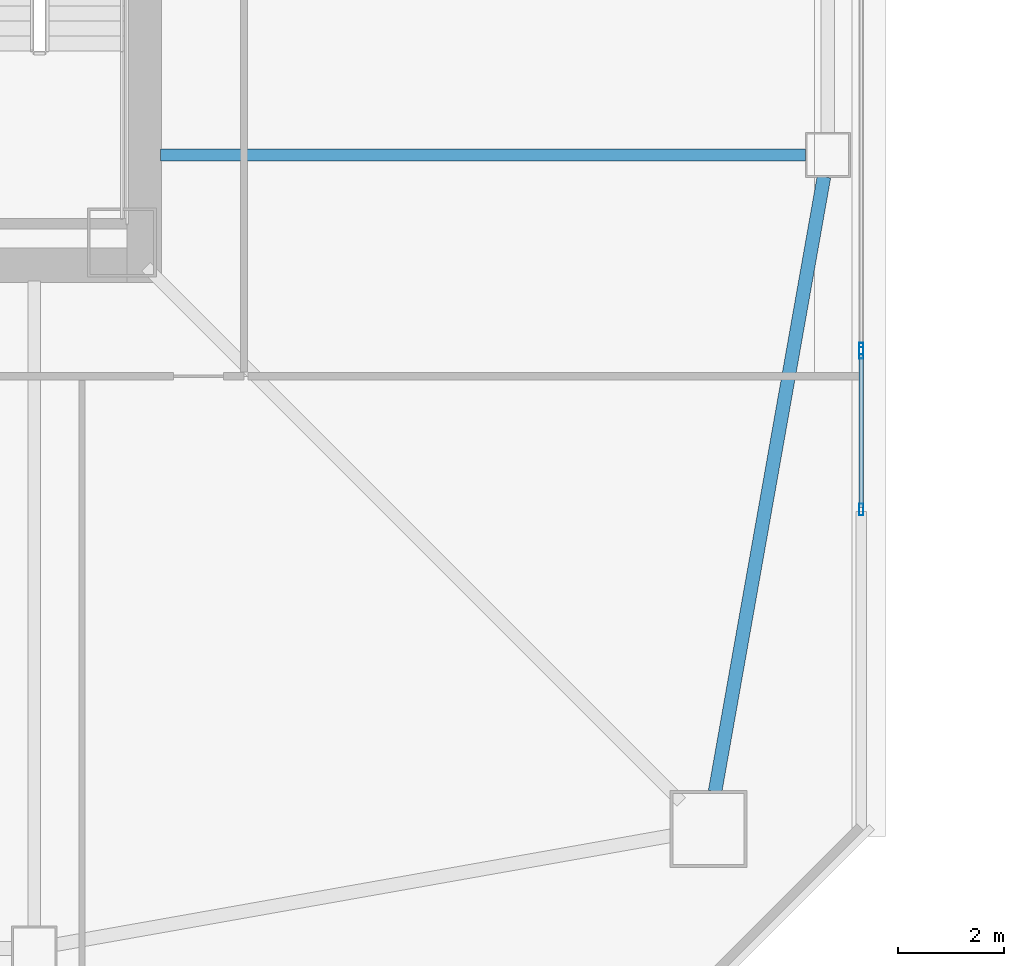
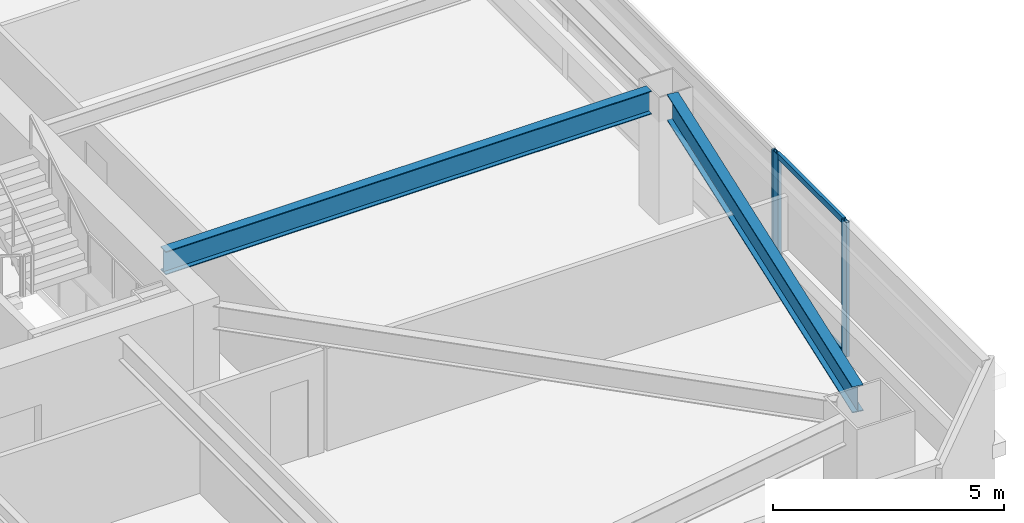
# One storey, part 9 of 44: 5 members, 2 beams, 2 elements without a shape of their own.
"""IFC4 building model written with IfcOpenShell, lengths in metres."""

import ifcopenshell
import ifcopenshell.guid

model = None  # the IFC model being written
_history = None  # IfcOwnerHistory: only IFC2X3 demands one
_inside = {}  # id of a spatial element -> (the spatial element, [elements in it])
_under = {}  # id of a project, library or spatial element -> (it, [spatial elements below it])
_declared = {}  # id of a project -> (the project, [libraries it declares])
_typed = {}  # id of a type object -> (the type object, [elements of that type])
_made_of = {}  # id of a material, layer set ... -> (it, [elements and type objects made of it])


def new_model(schema):
    """Start an empty IFC model of exactly this schema.

    Asked for "IFC4X3", IfcOpenShell would pick the latest addendum, in which some entities
    have other attributes; the version numbers below select the first issue.
    IFC2X3 requires an IfcOwnerHistory on every rooted entity: one is made here for all.
    """
    global model, _history
    if schema == "IFC4X3":
        model = ifcopenshell.file(schema_version=(4, 3, 0, 0))
    else:
        model = ifcopenshell.file(schema=schema)
    _inside.clear()
    _under.clear()
    _declared.clear()
    _typed.clear()
    _made_of.clear()
    _history = None
    if model.schema == "IFC2X3":
        org = make("IfcOrganization", Name="unknown")
        user = make(
            "IfcPersonAndOrganization",
            ThePerson=make("IfcPerson", FamilyName="unknown"),
            TheOrganization=org,
        )
        app = make(
            "IfcApplication",
            ApplicationDeveloper=org,
            Version="unknown",
            ApplicationFullName="unknown",
            ApplicationIdentifier="unknown",
        )
        _history = make(
            "IfcOwnerHistory",
            OwningUser=user,
            OwningApplication=app,
            ChangeAction="ADDED",
            CreationDate=0,
        )
    return model


def make(cls, **values):
    """One entity of the class cls with the attributes given. An attribute that is None is left unset."""
    return model.create_entity(
        cls, **{name: value for name, value in values.items() if value is not None}
    )


def rooted(cls, **values):
    """An entity with a GlobalId (a new one), such as an element, a storey or a relation."""
    return make(cls, GlobalId=ifcopenshell.guid.new(), OwnerHistory=_history, **values)


def si_unit(unit_type, name, prefix=None):
    """IfcSIUnit, for example si_unit("LENGTHUNIT", "METRE", prefix="MILLI")."""
    return make("IfcSIUnit", UnitType=unit_type, Prefix=prefix, Name=name)


def assignment(units):
    """IfcUnitAssignment: the units of a project."""
    return None if units is None else make("IfcUnitAssignment", Units=units)


def point(xyz):
    """IfcCartesianPoint."""
    return None if xyz is None else make("IfcCartesianPoint", Coordinates=xyz)


def direction(xyz):
    """IfcDirection."""
    return None if xyz is None else make("IfcDirection", DirectionRatios=xyz)


def frame(location, z_axis=None, x_axis=None):
    """IfcAxis2Placement3D, a coordinate frame: its origin and axes. An axis left out is left unset."""
    return make(
        "IfcAxis2Placement3D",
        Location=point(location),
        Axis=direction(z_axis),
        RefDirection=direction(x_axis),
    )


def frame_2d(location, x_axis=None):
    """IfcAxis2Placement2D, a coordinate frame in the plane: its origin and x axis."""
    return make(
        "IfcAxis2Placement2D", Location=point(location), RefDirection=direction(x_axis)
    )


def origin():
    """The frame at (0, 0, 0) with its axes left unset."""
    return frame((0.0, 0.0, 0.0))


def origin_2d():
    """The frame at (0, 0) in the plane with its x axis left unset."""
    return frame_2d((0.0, 0.0))


def place(relative_to, where):
    """IfcLocalPlacement: puts the frame where relative to a parent placement (None: the world)."""
    return make(
        "IfcLocalPlacement", PlacementRelTo=relative_to, RelativePlacement=where
    )


def context(
    kind, dimensions, precision=None, world=None, true_north=None, identifier=None
):
    """IfcGeometricRepresentationContext, for example the 3D "Model" context."""
    return make(
        "IfcGeometricRepresentationContext",
        ContextIdentifier=identifier,
        ContextType=kind,
        CoordinateSpaceDimension=dimensions,
        Precision=precision,
        WorldCoordinateSystem=world,
        TrueNorth=true_north,
    )


def subcontext(parent, identifier, kind, view, scale=None):
    """IfcGeometricRepresentationSubContext, for example "Body" below "Model"."""
    return make(
        "IfcGeometricRepresentationSubContext",
        ContextIdentifier=identifier,
        ContextType=kind,
        ParentContext=parent,
        TargetScale=scale,
        TargetView=view,
    )


def project(units=None, contexts=None):
    """IfcProject with its units and contexts."""
    return rooted(
        "IfcProject",
        Name="project",
        RepresentationContexts=contexts,
        UnitsInContext=assignment(units),
    )


def spatial(cls, under=None, at=None, **own):
    """A site, building, storey or space (cls), placed at a placement, below another one or the project."""
    s = rooted(cls, ObjectPlacement=at, **own)
    if under is not None:
        _under.setdefault(under.id(), (under, []))[1].append(s)
    return s


def profile(cls, at=None, kind="AREA", **sizes):
    """A parametric profile (cls). Its sizes go by their IFC names, for example OverallWidth=200.0."""
    return make(cls, ProfileType=kind, Position=at, **sizes)


def hollow_rectangle(**sizes):
    """IfcRectangleHollowProfileDef."""
    return profile("IfcRectangleHollowProfileDef", **sizes)


def i_section(**sizes):
    """IfcIShapeProfileDef."""
    return profile("IfcIShapeProfileDef", **sizes)


def extrude(swept, where, along, depth):
    """IfcExtrudedAreaSolid: the profile swept, set in the frame where, extruded along a direction by depth."""
    return make(
        "IfcExtrudedAreaSolid",
        SweptArea=swept,
        Position=where,
        ExtrudedDirection=direction(along),
        Depth=depth,
    )


def shape(context_of_items, identifier, shape_type, items):
    """IfcShapeRepresentation: the items that make up one representation, for example the "Body"."""
    return make(
        "IfcShapeRepresentation",
        ContextOfItems=context_of_items,
        RepresentationIdentifier=identifier,
        RepresentationType=shape_type,
        Items=items,
    )


def material(Name=None, Category=None):
    """IfcMaterial."""
    return make("IfcMaterial", Name=Name, Category=Category)


def material_profile(
    of_material, cross_section, Name=None, Category=None, Priority=None
):
    """IfcMaterialProfile: a cross section and its material."""
    return make(
        "IfcMaterialProfile",
        Name=Name,
        Material=of_material,
        Profile=cross_section,
        Priority=Priority,
        Category=Category,
    )


def profile_set(profiles, Name=None, composite=None):
    """IfcMaterialProfileSet."""
    return make(
        "IfcMaterialProfileSet",
        Name=Name,
        MaterialProfiles=profiles,
        CompositeProfile=composite,
    )


def made_of(thing, what):
    """Note that an element or type object is made of a material, layer set ...; save() writes the relation."""
    if what is not None:
        _made_of.setdefault(what.id(), (what, []))[1].append(thing)
    return thing


def type_object(cls, material=None, **own):
    """A type object (cls), such as IfcWallType, which elements share."""
    return made_of(rooted(cls, **own), material)


def element(
    cls,
    number,
    at=None,
    inside=None,
    cuts=None,
    type_object=None,
    material=None,
    context=None,
    identifier="Body",
    shape_type=None,
    held_by="IfcProductDefinitionShape",
    body=None,
    shapes=None,
    **own,
):
    """One element of the class cls, such as IfcWall. Its Tag is "e" and its number.

    at: its placement. inside: the storey or other place that contains it. cuts: it is an
    opening in that element (IfcRelVoidsElement). A single representation is given by context,
    identifier, shape_type and body (its items); several are given by shapes. held_by: the class
    of the entity that holds the representations. save() writes the other relations.
    """
    e = rooted(cls, Tag="e%d" % number, ObjectPlacement=at, **own)
    if body is not None:
        shapes = [shape(context, identifier, shape_type, body)]
    if shapes is not None:
        e.Representation = make(held_by, Representations=shapes)
    if inside is not None:
        _inside.setdefault(inside.id(), (inside, []))[1].append(e)
    if cuts is not None:
        rooted(
            "IfcRelVoidsElement", RelatingBuildingElement=cuts, RelatedOpeningElement=e
        )
    if type_object is not None:
        _typed.setdefault(type_object.id(), (type_object, []))[1].append(e)
    return made_of(e, material)


def aggregate(whole, parts):
    """IfcRelAggregates: a whole, such as a stair, and the parts it consists of."""
    return rooted("IfcRelAggregates", RelatingObject=whole, RelatedObjects=parts)


def save(model, path):
    """Write the relations noted so far, then the file.

    IfcRelAggregates (storeys below a building ...), IfcRelContainedInSpatialStructure (elements
    in a storey), IfcRelDefinesByType, IfcRelAssociatesMaterial and IfcRelDeclares: one each for
    every whole, place, type object, material and project.
    """
    for whole, parts in _under.values():
        aggregate(whole, parts)
    for where, things in _inside.values():
        rooted(
            "IfcRelContainedInSpatialStructure",
            RelatedElements=things,
            RelatingStructure=where,
        )
    for kind, things in _typed.values():
        rooted("IfcRelDefinesByType", RelatedObjects=things, RelatingType=kind)
    for what, things in _made_of.values():
        rooted("IfcRelAssociatesMaterial", RelatedObjects=things, RelatingMaterial=what)
    for by, libraries in _declared.values():
        rooted("IfcRelDeclares", RelatingContext=by, RelatedDefinitions=libraries)
    model.write(path)


model = new_model("IFC4")

# Units and contexts
model_context = context("Model", 3, precision=1e-05, world=origin(), true_north=direction((0.0, 1.0)))
body_context = subcontext(model_context, "Body", "Model", "MODEL_VIEW")
ifc_project = project(units=[si_unit("LENGTHUNIT", "METRE"), si_unit("AREAUNIT", "SQUARE_METRE"), si_unit("VOLUMEUNIT", "CUBIC_METRE"), si_unit("PLANEANGLEUNIT", "RADIAN"), si_unit("MASSUNIT", "GRAM", prefix="KILO")], contexts=[model_context])

# Site, building, storey
site_placement = place(None, origin())
site = spatial("IfcSite", under=ifc_project, at=site_placement, CompositionType="ELEMENT")
building_placement = place(site_placement, origin())
building = spatial("IfcBuilding", under=site, at=building_placement, Name="Tashvorn Skyway Center", CompositionType="ELEMENT")
storey_placement = place(building_placement, frame((0.0, 0.0, 74.300048828125)))
storey = spatial("IfcBuildingStorey", under=building, at=storey_placement, Name="L19", CompositionType="ELEMENT", Elevation=74.300048828125)

# Beams
ifc_material_1 = material(Name="Steel ASTM A992 Grade 50", Category="steel")
ifc_material_profile_1 = material_profile(ifc_material_1, i_section(OverallWidth=0.22998046875, OverallDepth=0.616943359375, WebThickness=0.01318359375, FlangeThickness=0.022216796875, at=origin_2d()), Name="W24X94")
ifc_profile_set_1 = profile_set([ifc_material_profile_1], Name="Steel ASTM A992 Grade 50")
beam_type_1 = type_object("IfcBeamType", Name="BM-BEAM-W24X94", PredefinedType="BEAM", material=ifc_profile_set_1)
beam_1_placement = place(storey_placement, frame((61.929931640625, 26.60009765625, 3.04150390625), z_axis=(-1.0, 0.0, 0.0), x_axis=(0.0, -1.0, 0.0)))
element("IfcBeam", 1, at=beam_1_placement, inside=storey, type_object=beam_type_1, Name="Tower 1 L19 Primary Floor Girder FC-E1", PredefinedType="BEAM", context=body_context, shape_type="SweptSolid", body=[
    extrude(i_section(OverallWidth=0.22998046875, OverallDepth=0.616943359375, WebThickness=0.01318359375, FlangeThickness=0.022216796875, at=origin_2d()), origin(), (0.0, 0.0, 1.0), 12.14990234375),
])
ifc_material_profile_2 = material_profile(ifc_material_1, i_section(OverallWidth=0.256103515625, OverallDepth=0.693115234375, WebThickness=0.014404296875, FlangeThickness=0.023681640625, at=origin_2d()), Name="W27X114")
ifc_profile_set_2 = profile_set([ifc_material_profile_2], Name="Steel ASTM A992 Grade 50")
beam_type_2 = type_object("IfcBeamType", Name="BM-SPANDREL-W27X114", PredefinedType="SPANDREL", material=ifc_profile_set_2)
beam_2_placement = place(storey_placement, frame((60.2255859375, 14.60888671875, 3.00341796875), z_axis=(0.174437966698, 0.98466816531, 0.0), x_axis=(-0.98466816531, 0.174437966698, 0.0)))
element("IfcBeam", 2, at=beam_2_placement, inside=storey, type_object=beam_type_2, Name="Tower 1 L19 Spandrel Beam 04", PredefinedType="SPANDREL", context=body_context, shape_type="SweptSolid", body=[
    extrude(i_section(OverallWidth=0.256103515625, OverallDepth=0.693115234375, WebThickness=0.014404296875, FlangeThickness=0.023681640625, at=origin_2d()), origin(), (0.0, 0.0, 1.0), 11.7578125),
])

# Curtain wall, member
ifc_material_2 = material(Name="Thermally broken bronze-anodized aluminium 6063-T6", Category="aluminium")
curtain_wall_type = type_object("IfcCurtainWallType", Name="CW-CW-Z2", PredefinedType="NOTDEFINED", material=ifc_material_2)
curtain_wall_1_placement = place(storey_placement, origin())
curtain_wall_1 = element("IfcCurtainWall", 3, at=curtain_wall_1_placement, inside=storey, type_object=curtain_wall_type, Name="Tower 1 L19 East Unitised Curtain Wall Glazing Group 2", PredefinedType="NOTDEFINED")
ifc_material_profile_3 = material_profile(ifc_material_2, hollow_rectangle(XDim=0.080078125, YDim=0.219970703125, WallThickness=0.0048828125, at=origin_2d()), Name="ALU-MULL-80x220")
ifc_profile_set_3 = profile_set([ifc_material_profile_3], Name="Thermally broken bronze-anodized aluminium 6063-T6")
member_type_1 = type_object("IfcMemberType", Name="CWM-CW-Z2", PredefinedType="MULLION", material=ifc_profile_set_3)
member_1_placement = place(storey_placement, frame((62.97998046875, 22.949951171875, 0.0), z_axis=(0.0, 0.0, 1.0), x_axis=(1.0, 0.0, 0.0)))
member_1 = element("IfcMember", 4, at=member_1_placement, type_object=member_type_1, Name="CW-Z2 mullion 3", PredefinedType="MULLION", context=body_context, shape_type="SweptSolid", body=[
    extrude(hollow_rectangle(XDim=0.080078125, YDim=0.219970703125, WallThickness=0.0048828125, at=origin_2d()), origin(), (0.0, 0.0, 1.0), 3.550048828125),
])
aggregate(curtain_wall_1, [member_1])

# Curtain wall, members
curtain_wall_2_placement = place(storey_placement, origin())
curtain_wall_2 = element("IfcCurtainWall", 5, at=curtain_wall_2_placement, inside=storey, type_object=curtain_wall_type, Name="Tower 1 L19 East Unitised Curtain Wall Glazing Group 3", PredefinedType="NOTDEFINED")
member_2_placement = place(storey_placement, frame((62.97998046875, 22.8701171875, 0.0), z_axis=(0.0, 0.0, 1.0), x_axis=(1.0, 0.0, 0.0)))
member_2 = element("IfcMember", 6, at=member_2_placement, type_object=member_type_1, Name="CW-Z2 mullion 1", PredefinedType="MULLION", context=body_context, shape_type="SweptSolid", body=[
    extrude(hollow_rectangle(XDim=0.080078125, YDim=0.219970703125, WallThickness=0.0048828125, at=origin_2d()), origin(), (0.0, 0.0, 1.0), 3.550048828125),
])
member_3_placement = place(storey_placement, frame((62.97998046875, 19.919921875, 0.0), z_axis=(0.0, 0.0, 1.0), x_axis=(1.0, 0.0, 0.0)))
member_3 = element("IfcMember", 7, at=member_3_placement, type_object=member_type_1, Name="CW-Z2 mullion 2", PredefinedType="MULLION", context=body_context, shape_type="SweptSolid", body=[
    extrude(hollow_rectangle(XDim=0.080078125, YDim=0.219970703125, WallThickness=0.0048828125, at=origin_2d()), origin(), (0.0, 0.0, 1.0), 3.550048828125),
])
ifc_material_profile_4 = material_profile(ifc_material_2, hollow_rectangle(XDim=0.080078125, YDim=0.14990234375, WallThickness=0.00439453125, at=origin_2d()), Name="ALU-TRAN-80x150")
ifc_profile_set_4 = profile_set([ifc_material_profile_4], Name="Thermally broken bronze-anodized aluminium 6063-T6")
member_type_2 = type_object("IfcMemberType", Name="CWT-CW-Z2", PredefinedType="USERDEFINED", material=ifc_profile_set_4)
member_4_placement = place(storey_placement, frame((62.97998046875, 22.830078125, 0.0400390625), z_axis=(0.0, -1.0, 0.0), x_axis=(1.0, 0.0, 0.0)))
member_4 = element("IfcMember", 8, at=member_4_placement, type_object=member_type_2, Name="CW-Z2 transom 1.1", ObjectType="TRANSOM", PredefinedType="USERDEFINED", context=body_context, shape_type="SweptSolid", body=[
    extrude(hollow_rectangle(XDim=0.080078125, YDim=0.14990234375, WallThickness=0.00439453125, at=origin_2d()), origin(), (0.0, 0.0, 1.0), 2.8701171875),
])
member_5_placement = place(storey_placement, frame((62.97998046875, 22.830078125, 3.510009765625), z_axis=(0.0, -1.0, 0.0), x_axis=(1.0, 0.0, 0.0)))
member_5 = element("IfcMember", 9, at=member_5_placement, type_object=member_type_2, Name="CW-Z2 transom 1.2", ObjectType="TRANSOM", PredefinedType="USERDEFINED", context=body_context, shape_type="SweptSolid", body=[
    extrude(hollow_rectangle(XDim=0.080078125, YDim=0.14990234375, WallThickness=0.00439453125, at=origin_2d()), origin(), (0.0, 0.0, 1.0), 2.8701171875),
])
aggregate(curtain_wall_2, [member_2, member_3, member_4, member_5])

save(model, "model.ifc")
